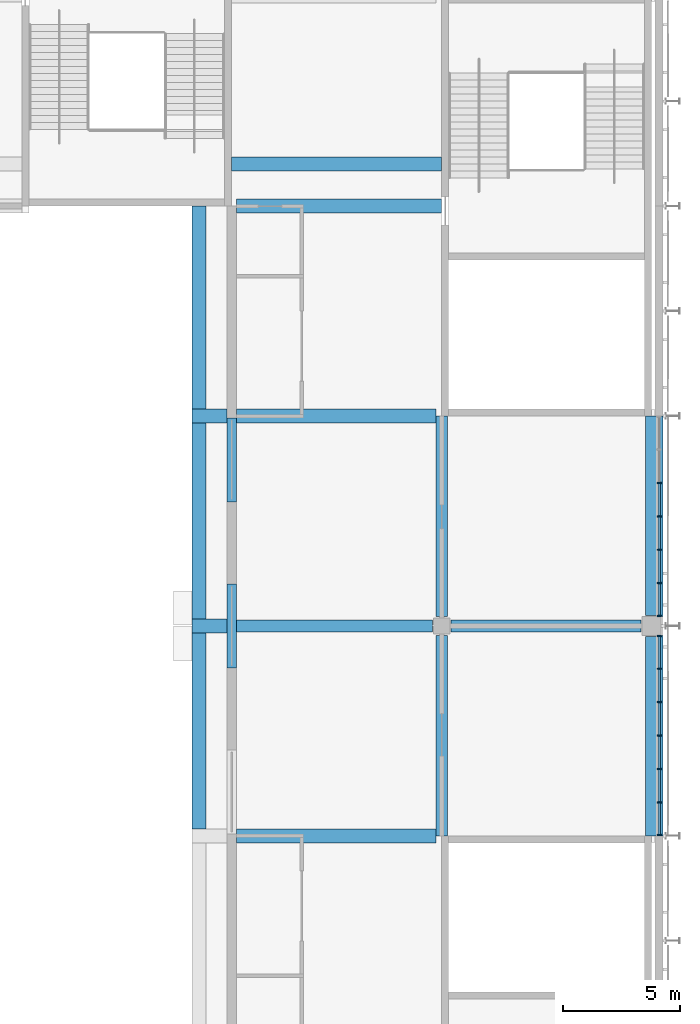
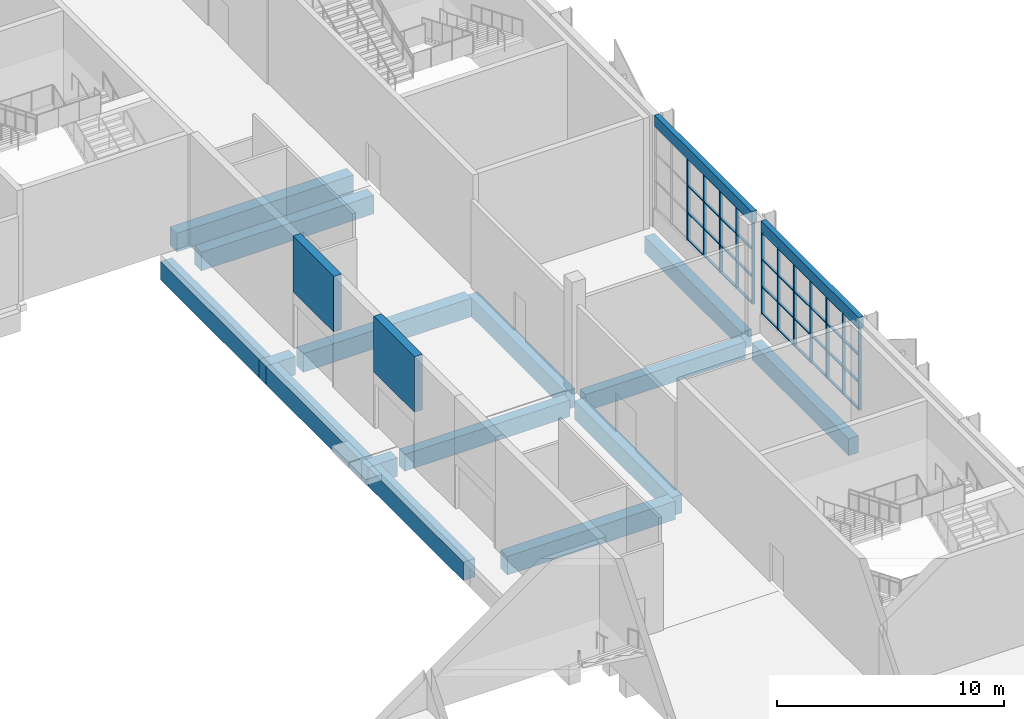
# One storey, part 21 of 89: 51 members, 19 beams, 2 elements without a shape of their own.
"""IFC4 building model written with IfcOpenShell, lengths in metres."""

from ifc_helpers import new_model, si_unit, direction, frame, origin, origin_2d, place, context, subcontext, project, spatial, rectangle, extrude, material, material_profile, profile_set, type_object, element, aggregate, save


model = new_model("IFC4")

# Units and contexts
model_context = context("Model", 3, precision=1e-05, world=origin(), true_north=direction((0.0, 1.0)))
body_context = subcontext(model_context, "Body", "Model", "MODEL_VIEW")
ifc_project = project(units=[si_unit("LENGTHUNIT", "METRE"), si_unit("AREAUNIT", "SQUARE_METRE"), si_unit("VOLUMEUNIT", "CUBIC_METRE"), si_unit("PLANEANGLEUNIT", "RADIAN"), si_unit("MASSUNIT", "GRAM", prefix="KILO")], contexts=[model_context])

# Site, building, storey
site_placement = place(None, origin())
site = spatial("IfcSite", under=ifc_project, at=site_placement, CompositionType="ELEMENT")
building_placement = place(site_placement, origin())
building = spatial("IfcBuilding", under=site, at=building_placement, Name="Silverbay Arena", CompositionType="ELEMENT")
storey_placement = place(building_placement, frame((0.0, 0.0, 22.0)))
storey = spatial("IfcBuildingStorey", under=building, at=storey_placement, Name="L03", CompositionType="ELEMENT", Elevation=22.0)

# Curtain wall, members
ifc_material_1 = material(Name="Aluminium framed curtain wall", Category="aluminium")
curtain_wall_type = type_object("IfcCurtainWallType", Name="Curtain wall 8600 x 4400", PredefinedType="NOTDEFINED", material=ifc_material_1)
curtain_wall_1_placement = place(storey_placement, origin())
curtain_wall_1 = element("IfcCurtainWall", 1, at=curtain_wall_1_placement, inside=storey, type_object=curtain_wall_type, Name="East curtain wall L03 bay 7", PredefinedType="NOTDEFINED")
ifc_material_2 = material(Name="Aluminium", Category="aluminium")
ifc_material_profile_1 = material_profile(ifc_material_2, rectangle(XDim=0.159912109375, YDim=0.06005859375, at=origin_2d()), Name="Mullion 60 x 160")
ifc_profile_set_1 = profile_set([ifc_material_profile_1], Name="Aluminium")
member_type_1 = type_object("IfcMemberType", Name="Mullion 60 x 160", PredefinedType="MULLION", material=ifc_profile_set_1)
member_1_placement = place(storey_placement, frame((207.330078125, 72.030029296875, 1.0), z_axis=(0.0, 0.0, 1.0), x_axis=(-1.0, 0.0, 0.0)))
member_1 = element("IfcMember", 2, at=member_1_placement, type_object=member_type_1, Name="CW12 mullion 1", PredefinedType="MULLION", context=body_context, shape_type="SweptSolid", body=[
    extrude(rectangle(XDim=0.159912109375, YDim=0.06005859375, at=origin_2d()), origin(), (0.0, 0.0, 1.0), 4.39990234375),
])
member_2_placement = place(storey_placement, frame((207.330078125, 73.433349609375, 1.0), z_axis=(0.0, 0.0, 1.0), x_axis=(-1.0, 0.0, 0.0)))
member_2 = element("IfcMember", 3, at=member_2_placement, type_object=member_type_1, Name="CW12 mullion 2", PredefinedType="MULLION", context=body_context, shape_type="SweptSolid", body=[
    extrude(rectangle(XDim=0.159912109375, YDim=0.06005859375, at=origin_2d()), origin(), (0.0, 0.0, 1.0), 4.39990234375),
])
member_3_placement = place(storey_placement, frame((207.330078125, 74.86669921875, 1.0), z_axis=(0.0, 0.0, 1.0), x_axis=(-1.0, 0.0, 0.0)))
member_3 = element("IfcMember", 4, at=member_3_placement, type_object=member_type_1, Name="CW12 mullion 3", PredefinedType="MULLION", context=body_context, shape_type="SweptSolid", body=[
    extrude(rectangle(XDim=0.159912109375, YDim=0.06005859375, at=origin_2d()), origin(), (0.0, 0.0, 1.0), 4.39990234375),
])
member_4_placement = place(storey_placement, frame((207.330078125, 76.300048828125, 1.0), z_axis=(0.0, 0.0, 1.0), x_axis=(-1.0, 0.0, 0.0)))
member_4 = element("IfcMember", 5, at=member_4_placement, type_object=member_type_1, Name="CW12 mullion 4", PredefinedType="MULLION", context=body_context, shape_type="SweptSolid", body=[
    extrude(rectangle(XDim=0.159912109375, YDim=0.06005859375, at=origin_2d()), origin(), (0.0, 0.0, 1.0), 4.39990234375),
])
member_5_placement = place(storey_placement, frame((207.330078125, 77.7333984375, 1.0), z_axis=(0.0, 0.0, 1.0), x_axis=(-1.0, 0.0, 0.0)))
member_5 = element("IfcMember", 6, at=member_5_placement, type_object=member_type_1, Name="CW12 mullion 5", PredefinedType="MULLION", context=body_context, shape_type="SweptSolid", body=[
    extrude(rectangle(XDim=0.159912109375, YDim=0.06005859375, at=origin_2d()), origin(), (0.0, 0.0, 1.0), 4.39990234375),
])
member_6_placement = place(storey_placement, frame((207.330078125, 79.166748046875, 1.0), z_axis=(0.0, 0.0, 1.0), x_axis=(-1.0, 0.0, 0.0)))
member_6 = element("IfcMember", 7, at=member_6_placement, type_object=member_type_1, Name="CW12 mullion 6", PredefinedType="MULLION", context=body_context, shape_type="SweptSolid", body=[
    extrude(rectangle(XDim=0.159912109375, YDim=0.06005859375, at=origin_2d()), origin(), (0.0, 0.0, 1.0), 4.39990234375),
])
member_7_placement = place(storey_placement, frame((207.330078125, 80.570068359375, 1.0), z_axis=(0.0, 0.0, 1.0), x_axis=(-1.0, 0.0, 0.0)))
member_7 = element("IfcMember", 8, at=member_7_placement, type_object=member_type_1, Name="CW12 mullion 7", PredefinedType="MULLION", context=body_context, shape_type="SweptSolid", body=[
    extrude(rectangle(XDim=0.159912109375, YDim=0.06005859375, at=origin_2d()), origin(), (0.0, 0.0, 1.0), 4.39990234375),
])

curtain_wall_2_placement = place(storey_placement, origin())
curtain_wall_2 = element("IfcCurtainWall", 9, at=curtain_wall_2_placement, inside=storey, type_object=curtain_wall_type, Name="East curtain wall L03 bay 8", PredefinedType="NOTDEFINED")
member_8_placement = place(storey_placement, frame((207.330078125, 81.429931640625, 1.0), z_axis=(0.0, 0.0, 1.0), x_axis=(-1.0, 0.0, 0.0)))
member_8 = element("IfcMember", 10, at=member_8_placement, type_object=member_type_1, Name="CW12 mullion 1", PredefinedType="MULLION", context=body_context, shape_type="SweptSolid", body=[
    extrude(rectangle(XDim=0.159912109375, YDim=0.06005859375, at=origin_2d()), origin(), (0.0, 0.0, 1.0), 4.39990234375),
])
member_9_placement = place(storey_placement, frame((207.330078125, 82.833251953125, 1.0), z_axis=(0.0, 0.0, 1.0), x_axis=(-1.0, 0.0, 0.0)))
member_9 = element("IfcMember", 11, at=member_9_placement, type_object=member_type_1, Name="CW12 mullion 2", PredefinedType="MULLION", context=body_context, shape_type="SweptSolid", body=[
    extrude(rectangle(XDim=0.159912109375, YDim=0.06005859375, at=origin_2d()), origin(), (0.0, 0.0, 1.0), 4.39990234375),
])
member_10_placement = place(storey_placement, frame((207.330078125, 84.2666015625, 1.0), z_axis=(0.0, 0.0, 1.0), x_axis=(-1.0, 0.0, 0.0)))
member_10 = element("IfcMember", 12, at=member_10_placement, type_object=member_type_1, Name="CW12 mullion 3", PredefinedType="MULLION", context=body_context, shape_type="SweptSolid", body=[
    extrude(rectangle(XDim=0.159912109375, YDim=0.06005859375, at=origin_2d()), origin(), (0.0, 0.0, 1.0), 4.39990234375),
])
member_11_placement = place(storey_placement, frame((207.330078125, 85.699951171875, 1.0), z_axis=(0.0, 0.0, 1.0), x_axis=(-1.0, 0.0, 0.0)))
member_11 = element("IfcMember", 13, at=member_11_placement, type_object=member_type_1, Name="CW12 mullion 4", PredefinedType="MULLION", context=body_context, shape_type="SweptSolid", body=[
    extrude(rectangle(XDim=0.159912109375, YDim=0.06005859375, at=origin_2d()), origin(), (0.0, 0.0, 1.0), 4.39990234375),
])
member_12_placement = place(storey_placement, frame((207.330078125, 87.13330078125, 1.0), z_axis=(0.0, 0.0, 1.0), x_axis=(-1.0, 0.0, 0.0)))
member_12 = element("IfcMember", 14, at=member_12_placement, type_object=member_type_1, Name="CW12 mullion 5", PredefinedType="MULLION", context=body_context, shape_type="SweptSolid", body=[
    extrude(rectangle(XDim=0.159912109375, YDim=0.06005859375, at=origin_2d()), origin(), (0.0, 0.0, 1.0), 4.39990234375),
])

# Beams
ifc_material_3 = material(Name="Concrete Grade C45", Category="concrete")
ifc_material_profile_2 = material_profile(ifc_material_3, rectangle(XDim=0.5, YDim=1.0, at=origin_2d()), Name="RC 500x1000")
ifc_profile_set_2 = profile_set([ifc_material_profile_2], Name="Concrete Grade C45")
beam_type_1 = type_object("IfcBeamType", Name="RC beam 500x1000", PredefinedType="BEAM", material=ifc_profile_set_2)
for number, where, z_axis, x_axis, name in (
    (15, (198.0, 72.0, -0.85009765625), (0.0, 1.0, 0.0), (-1.0, 0.0, 0.0), "Floor beam L03 166"),
    (16, (198.0, 81.39990234375, -0.85009765625), (0.0, 1.0, 0.0), (-1.0, 0.0, 0.0), "Floor beam L03 167"),
):
    element("IfcBeam", number, at=place(storey_placement, frame(where, z_axis=z_axis, x_axis=x_axis)), inside=storey, type_object=beam_type_1, Name=name, PredefinedType="BEAM", context=body_context, shape_type="SweptSolid", body=[
        extrude(rectangle(XDim=0.5, YDim=1.0, at=origin_2d()), origin(), (0.0, 0.0, 1.0), 8.60009765625),
    ])
ifc_material_4 = material(Name="Concrete Grade C45", Category="concrete")
ifc_material_profile_3 = material_profile(ifc_material_4, rectangle(XDim=0.5, YDim=0.89990234375, at=origin_2d()), Name="RC 500x900")
ifc_profile_set_3 = profile_set([ifc_material_profile_3], Name="Concrete Grade C45")
beam_type_2 = type_object("IfcBeamType", Name="RC beam 500x900", PredefinedType="BEAM", material=ifc_profile_set_3)
beam_1_placement = place(storey_placement, frame((189.199951171875, 81.0, -0.800048828125), z_axis=(1.0, 0.0, 0.0), x_axis=(0.0, 1.0, 0.0)))
element("IfcBeam", 17, at=beam_1_placement, inside=storey, type_object=beam_type_2, Name="Floor beam L03 043", PredefinedType="BEAM", context=body_context, shape_type="SweptSolid", body=[
    extrude(rectangle(XDim=0.5, YDim=0.89990234375, at=origin_2d()), origin(), (0.0, 0.0, 1.0), 8.400146484375),
])
beam_2_placement = place(storey_placement, frame((198.39990234375, 81.0, -0.800048828125), z_axis=(1.0, 0.0, 0.0), x_axis=(0.0, 1.0, 0.0)))
element("IfcBeam", 18, at=beam_2_placement, inside=storey, type_object=beam_type_2, Name="Floor beam L03 044", PredefinedType="BEAM", context=body_context, shape_type="SweptSolid", body=[
    extrude(rectangle(XDim=0.5, YDim=0.89990234375, at=origin_2d()), origin(), (0.0, 0.0, 1.0), 8.150146484375),
])
for number, where, z_axis, x_axis, name in (
    (19, (207.0, 72.0, -0.800048828125), (0.0, 1.0, 0.0), (-1.0, 0.0, 0.0), "Floor beam L03 174"),
    (20, (207.0, 81.449951171875, -0.800048828125), (0.0, 1.0, 0.0), (-1.0, 0.0, 0.0), "Floor beam L03 175"),
):
    element("IfcBeam", number, at=place(storey_placement, frame(where, z_axis=z_axis, x_axis=x_axis)), inside=storey, type_object=beam_type_2, Name=name, PredefinedType="BEAM", context=body_context, shape_type="SweptSolid", body=[
        extrude(rectangle(XDim=0.5, YDim=0.89990234375, at=origin_2d()), origin(), (0.0, 0.0, 1.0), 8.550048828125),
    ])
ifc_material_5 = material(Name="Concrete Grade C45", Category="concrete")
ifc_material_profile_4 = material_profile(ifc_material_5, rectangle(XDim=0.60009765625, YDim=1.0, at=origin_2d()), Name="RC 600x1000")
ifc_profile_set_4 = profile_set([ifc_material_profile_4], Name="Concrete Grade C45")
beam_type_3 = type_object("IfcBeamType", Name="RC beam 600x1000", PredefinedType="BEAM", material=ifc_profile_set_4)
beam_3_placement = place(storey_placement, frame((189.199951171875, 72.0, -0.85009765625), z_axis=(1.0, 0.0, 0.0), x_axis=(0.0, 1.0, 0.0)))
element("IfcBeam", 21, at=beam_3_placement, inside=storey, type_object=beam_type_3, Name="Floor beam L03 038", PredefinedType="BEAM", context=body_context, shape_type="SweptSolid", body=[
    extrude(rectangle(XDim=0.60009765625, YDim=1.0, at=origin_2d()), origin(), (0.0, 0.0, 1.0), 8.550048828125),
])
for number, where, z_axis, x_axis, name in (
    (22, (187.300048828125, 81.0, -0.85009765625), (1.0, 0.0, 0.0), (0.0, 1.0, 0.0), "Floor beam L03 042"),
    (23, (187.300048828125, 90.0, -0.85009765625), (1.0, 0.0, 0.0), (0.0, 1.0, 0.0), "Floor beam L03 047"),
):
    element("IfcBeam", number, at=place(storey_placement, frame(where, z_axis=z_axis, x_axis=x_axis)), inside=storey, type_object=beam_type_3, Name=name, PredefinedType="BEAM", context=body_context, shape_type="SweptSolid", body=[
        extrude(rectangle(XDim=0.60009765625, YDim=1.0, at=origin_2d()), origin(), (0.0, 0.0, 1.0), 1.5),
    ])
beam_4_placement = place(storey_placement, frame((189.199951171875, 90.0, -0.85009765625), z_axis=(1.0, 0.0, 0.0), x_axis=(0.0, 1.0, 0.0)))
element("IfcBeam", 24, at=beam_4_placement, inside=storey, type_object=beam_type_3, Name="Floor beam L03 048", PredefinedType="BEAM", context=body_context, shape_type="SweptSolid", body=[
    extrude(rectangle(XDim=0.60009765625, YDim=1.0, at=origin_2d()), origin(), (0.0, 0.0, 1.0), 8.550048828125),
])
beam_5_placement = place(storey_placement, frame((189.199951171875, 99.0, -0.85009765625), z_axis=(1.0, 0.0, 0.0), x_axis=(0.0, 1.0, 0.0)))
element("IfcBeam", 25, at=beam_5_placement, inside=storey, type_object=beam_type_3, Name="Floor beam L03 052", PredefinedType="BEAM", context=body_context, shape_type="SweptSolid", body=[
    extrude(rectangle(XDim=0.60009765625, YDim=1.0, at=origin_2d()), origin(), (0.0, 0.0, 1.0), 8.800048828125),
])
beam_6_placement = place(storey_placement, frame((189.0, 100.800048828125, -0.85009765625), z_axis=(1.0, 0.0, 0.0), x_axis=(0.0, 1.0, 0.0)))
element("IfcBeam", 26, at=beam_6_placement, inside=storey, type_object=beam_type_3, Name="Floor beam L03 056", PredefinedType="BEAM", context=body_context, shape_type="SweptSolid", body=[
    extrude(rectangle(XDim=0.60009765625, YDim=1.0, at=origin_2d()), origin(), (0.0, 0.0, 1.0), 9.0),
])
for number, where, z_axis, x_axis, name in (
    (27, (187.60009765625, 72.300048828125, -0.85009765625), (0.0, 1.0, 0.0), (-1.0, 0.0, 0.0), "Floor beam L03 198"),
    (28, (187.60009765625, 81.300048828125, -0.85009765625), (0.0, 1.0, 0.0), (-1.0, 0.0, 0.0), "Floor beam L03 199"),
):
    element("IfcBeam", number, at=place(storey_placement, frame(where, z_axis=z_axis, x_axis=x_axis)), inside=storey, type_object=beam_type_3, Name=name, PredefinedType="BEAM", context=body_context, shape_type="SweptSolid", body=[
        extrude(rectangle(XDim=0.60009765625, YDim=1.0, at=origin_2d()), origin(), (0.0, 0.0, 1.0), 8.39990234375),
    ])
beam_7_placement = place(storey_placement, frame((187.60009765625, 90.300048828125, -0.85009765625), z_axis=(0.0, 1.0, 0.0), x_axis=(-1.0, 0.0, 0.0)))
element("IfcBeam", 29, at=beam_7_placement, inside=storey, type_object=beam_type_3, Name="Floor beam L03 200", PredefinedType="BEAM", context=body_context, shape_type="SweptSolid", body=[
    extrude(rectangle(XDim=0.60009765625, YDim=1.0, at=origin_2d()), origin(), (0.0, 0.0, 1.0), 8.699951171875),
])
ifc_material_6 = material(Name="Concrete Grade C45", Category="concrete")
ifc_material_profile_5 = material_profile(ifc_material_6, rectangle(XDim=0.25, YDim=0.60009765625, at=origin_2d()), Name="RC 250x600")
ifc_profile_set_5 = profile_set([ifc_material_profile_5], Name="Concrete Grade C45")
beam_type_4 = type_object("IfcBeamType", Name="RC facade beam 250x600", PredefinedType="SPANDREL", material=ifc_profile_set_5)
for number, where, z_axis, x_axis, name in (
    (30, (207.375, 72.0, 5.699951171875), (0.0, 1.0, 0.0), (-1.0, 0.0, 0.0), "Facade beam L03 east"),
    (31, (207.375, 81.39990234375, 5.699951171875), (0.0, 1.0, 0.0), (-1.0, 0.0, 0.0), "Facade beam L03 east"),
):
    element("IfcBeam", number, at=place(storey_placement, frame(where, z_axis=z_axis, x_axis=x_axis)), inside=storey, type_object=beam_type_4, Name=name, PredefinedType="SPANDREL", context=body_context, shape_type="SweptSolid", body=[
        extrude(rectangle(XDim=0.25, YDim=0.60009765625, at=origin_2d()), origin(), (0.0, 0.0, 1.0), 8.60009765625),
    ])
ifc_material_7 = material(Name="Concrete Grade C45", Category="concrete")
ifc_material_profile_6 = material_profile(ifc_material_7, rectangle(XDim=0.39990234375, YDim=3.0, at=origin_2d()), Name="RC 400x3000")
ifc_profile_set_6 = profile_set([ifc_material_profile_6], Name="Concrete Grade C45")
beam_type_5 = type_object("IfcBeamType", Name="RC lintel 400x3000", PredefinedType="BEAM", material=ifc_profile_set_6)
for number, where, z_axis, x_axis, name in (
    (32, (189.0, 79.199951171875, 4.5), (0.0, 1.0, 0.0), (-1.0, 0.0, 0.0), "Lintel over portal L03-E81"),
    (33, (189.0, 86.324951171875, 4.5), (0.0, 1.0, 0.0), (-1.0, 0.0, 0.0), "Lintel over portal L03-E881"),
):
    element("IfcBeam", number, at=place(storey_placement, frame(where, z_axis=z_axis, x_axis=x_axis)), inside=storey, type_object=beam_type_5, Name=name, PredefinedType="BEAM", context=body_context, shape_type="SweptSolid", body=[
        extrude(rectangle(XDim=0.39990234375, YDim=3.0, at=origin_2d()), origin(), (0.0, 0.0, 1.0), 3.60009765625),
    ])

# Member
ifc_material_8 = material(Name="Aluminium", Category="aluminium")
ifc_material_profile_7 = material_profile(ifc_material_8, rectangle(XDim=0.1201171875, YDim=0.050048828125, at=origin_2d()), Name="Transom 50 x 120")
ifc_profile_set_7 = profile_set([ifc_material_profile_7], Name="Aluminium")
member_type_2 = type_object("IfcMemberType", Name="Transom 50 x 120", PredefinedType="USERDEFINED", material=ifc_profile_set_7)
member_13_placement = place(storey_placement, frame((207.330078125, 72.06005859375, 1.02490234375), z_axis=(0.0, 1.0, 0.0), x_axis=(-1.0, 0.0, 0.0)))
member_13 = element("IfcMember", 34, at=member_13_placement, type_object=member_type_2, Name="CW12 transom 1.1", ObjectType="TRANSOM", PredefinedType="USERDEFINED", context=body_context, shape_type="SweptSolid", body=[
    extrude(rectangle(XDim=0.1201171875, YDim=0.050048828125, at=origin_2d()), origin(), (0.0, 0.0, 1.0), 1.34326171875),
])

member_14_placement = place(storey_placement, frame((207.330078125, 72.06005859375, 2.466552734375), z_axis=(0.0, 1.0, 0.0), x_axis=(-1.0, 0.0, 0.0)))
member_14 = element("IfcMember", 35, at=member_14_placement, type_object=member_type_2, Name="CW12 transom 1.2", ObjectType="TRANSOM", PredefinedType="USERDEFINED", context=body_context, shape_type="SweptSolid", body=[
    extrude(rectangle(XDim=0.1201171875, YDim=0.050048828125, at=origin_2d()), origin(), (0.0, 0.0, 1.0), 1.34326171875),
])

member_15_placement = place(storey_placement, frame((207.330078125, 72.06005859375, 3.933349609375), z_axis=(0.0, 1.0, 0.0), x_axis=(-1.0, 0.0, 0.0)))
member_15 = element("IfcMember", 36, at=member_15_placement, type_object=member_type_2, Name="CW12 transom 1.3", ObjectType="TRANSOM", PredefinedType="USERDEFINED", context=body_context, shape_type="SweptSolid", body=[
    extrude(rectangle(XDim=0.1201171875, YDim=0.050048828125, at=origin_2d()), origin(), (0.0, 0.0, 1.0), 1.34326171875),
])

member_16_placement = place(storey_placement, frame((207.330078125, 72.06005859375, 5.375), z_axis=(0.0, 1.0, 0.0), x_axis=(-1.0, 0.0, 0.0)))
member_16 = element("IfcMember", 37, at=member_16_placement, type_object=member_type_2, Name="CW12 transom 1.4", ObjectType="TRANSOM", PredefinedType="USERDEFINED", context=body_context, shape_type="SweptSolid", body=[
    extrude(rectangle(XDim=0.1201171875, YDim=0.050048828125, at=origin_2d()), origin(), (0.0, 0.0, 1.0), 1.34326171875),
])

member_17_placement = place(storey_placement, frame((207.330078125, 73.46337890625, 1.02490234375), z_axis=(0.0, 1.0, 0.0), x_axis=(-1.0, 0.0, 0.0)))
member_17 = element("IfcMember", 38, at=member_17_placement, type_object=member_type_2, Name="CW12 transom 2.1", ObjectType="TRANSOM", PredefinedType="USERDEFINED", context=body_context, shape_type="SweptSolid", body=[
    extrude(rectangle(XDim=0.1201171875, YDim=0.050048828125, at=origin_2d()), origin(), (0.0, 0.0, 1.0), 1.373291015625),
])

member_18_placement = place(storey_placement, frame((207.330078125, 73.46337890625, 2.466552734375), z_axis=(0.0, 1.0, 0.0), x_axis=(-1.0, 0.0, 0.0)))
member_18 = element("IfcMember", 39, at=member_18_placement, type_object=member_type_2, Name="CW12 transom 2.2", ObjectType="TRANSOM", PredefinedType="USERDEFINED", context=body_context, shape_type="SweptSolid", body=[
    extrude(rectangle(XDim=0.1201171875, YDim=0.050048828125, at=origin_2d()), origin(), (0.0, 0.0, 1.0), 1.373291015625),
])

member_19_placement = place(storey_placement, frame((207.330078125, 73.46337890625, 3.933349609375), z_axis=(0.0, 1.0, 0.0), x_axis=(-1.0, 0.0, 0.0)))
member_19 = element("IfcMember", 40, at=member_19_placement, type_object=member_type_2, Name="CW12 transom 2.3", ObjectType="TRANSOM", PredefinedType="USERDEFINED", context=body_context, shape_type="SweptSolid", body=[
    extrude(rectangle(XDim=0.1201171875, YDim=0.050048828125, at=origin_2d()), origin(), (0.0, 0.0, 1.0), 1.373291015625),
])

member_20_placement = place(storey_placement, frame((207.330078125, 73.46337890625, 5.375), z_axis=(0.0, 1.0, 0.0), x_axis=(-1.0, 0.0, 0.0)))
member_20 = element("IfcMember", 41, at=member_20_placement, type_object=member_type_2, Name="CW12 transom 2.4", ObjectType="TRANSOM", PredefinedType="USERDEFINED", context=body_context, shape_type="SweptSolid", body=[
    extrude(rectangle(XDim=0.1201171875, YDim=0.050048828125, at=origin_2d()), origin(), (0.0, 0.0, 1.0), 1.373291015625),
])

member_21_placement = place(storey_placement, frame((207.330078125, 74.896728515625, 1.02490234375), z_axis=(0.0, 1.0, 0.0), x_axis=(-1.0, 0.0, 0.0)))
member_21 = element("IfcMember", 42, at=member_21_placement, type_object=member_type_2, Name="CW12 transom 3.1", ObjectType="TRANSOM", PredefinedType="USERDEFINED", context=body_context, shape_type="SweptSolid", body=[
    extrude(rectangle(XDim=0.1201171875, YDim=0.050048828125, at=origin_2d()), origin(), (0.0, 0.0, 1.0), 1.373291015625),
])

member_22_placement = place(storey_placement, frame((207.330078125, 74.896728515625, 2.466552734375), z_axis=(0.0, 1.0, 0.0), x_axis=(-1.0, 0.0, 0.0)))
member_22 = element("IfcMember", 43, at=member_22_placement, type_object=member_type_2, Name="CW12 transom 3.2", ObjectType="TRANSOM", PredefinedType="USERDEFINED", context=body_context, shape_type="SweptSolid", body=[
    extrude(rectangle(XDim=0.1201171875, YDim=0.050048828125, at=origin_2d()), origin(), (0.0, 0.0, 1.0), 1.373291015625),
])

member_23_placement = place(storey_placement, frame((207.330078125, 74.896728515625, 3.933349609375), z_axis=(0.0, 1.0, 0.0), x_axis=(-1.0, 0.0, 0.0)))
member_23 = element("IfcMember", 44, at=member_23_placement, type_object=member_type_2, Name="CW12 transom 3.3", ObjectType="TRANSOM", PredefinedType="USERDEFINED", context=body_context, shape_type="SweptSolid", body=[
    extrude(rectangle(XDim=0.1201171875, YDim=0.050048828125, at=origin_2d()), origin(), (0.0, 0.0, 1.0), 1.373291015625),
])

member_24_placement = place(storey_placement, frame((207.330078125, 74.896728515625, 5.375), z_axis=(0.0, 1.0, 0.0), x_axis=(-1.0, 0.0, 0.0)))
member_24 = element("IfcMember", 45, at=member_24_placement, type_object=member_type_2, Name="CW12 transom 3.4", ObjectType="TRANSOM", PredefinedType="USERDEFINED", context=body_context, shape_type="SweptSolid", body=[
    extrude(rectangle(XDim=0.1201171875, YDim=0.050048828125, at=origin_2d()), origin(), (0.0, 0.0, 1.0), 1.373291015625),
])

member_25_placement = place(storey_placement, frame((207.330078125, 76.330078125, 1.02490234375), z_axis=(0.0, 1.0, 0.0), x_axis=(-1.0, 0.0, 0.0)))
member_25 = element("IfcMember", 46, at=member_25_placement, type_object=member_type_2, Name="CW12 transom 4.1", ObjectType="TRANSOM", PredefinedType="USERDEFINED", context=body_context, shape_type="SweptSolid", body=[
    extrude(rectangle(XDim=0.1201171875, YDim=0.050048828125, at=origin_2d()), origin(), (0.0, 0.0, 1.0), 1.373291015625),
])

member_26_placement = place(storey_placement, frame((207.330078125, 76.330078125, 2.466552734375), z_axis=(0.0, 1.0, 0.0), x_axis=(-1.0, 0.0, 0.0)))
member_26 = element("IfcMember", 47, at=member_26_placement, type_object=member_type_2, Name="CW12 transom 4.2", ObjectType="TRANSOM", PredefinedType="USERDEFINED", context=body_context, shape_type="SweptSolid", body=[
    extrude(rectangle(XDim=0.1201171875, YDim=0.050048828125, at=origin_2d()), origin(), (0.0, 0.0, 1.0), 1.373291015625),
])

member_27_placement = place(storey_placement, frame((207.330078125, 76.330078125, 3.933349609375), z_axis=(0.0, 1.0, 0.0), x_axis=(-1.0, 0.0, 0.0)))
member_27 = element("IfcMember", 48, at=member_27_placement, type_object=member_type_2, Name="CW12 transom 4.3", ObjectType="TRANSOM", PredefinedType="USERDEFINED", context=body_context, shape_type="SweptSolid", body=[
    extrude(rectangle(XDim=0.1201171875, YDim=0.050048828125, at=origin_2d()), origin(), (0.0, 0.0, 1.0), 1.373291015625),
])

member_28_placement = place(storey_placement, frame((207.330078125, 76.330078125, 5.375), z_axis=(0.0, 1.0, 0.0), x_axis=(-1.0, 0.0, 0.0)))
member_28 = element("IfcMember", 49, at=member_28_placement, type_object=member_type_2, Name="CW12 transom 4.4", ObjectType="TRANSOM", PredefinedType="USERDEFINED", context=body_context, shape_type="SweptSolid", body=[
    extrude(rectangle(XDim=0.1201171875, YDim=0.050048828125, at=origin_2d()), origin(), (0.0, 0.0, 1.0), 1.373291015625),
])

member_29_placement = place(storey_placement, frame((207.330078125, 77.763427734375, 1.02490234375), z_axis=(0.0, 1.0, 0.0), x_axis=(-1.0, 0.0, 0.0)))
member_29 = element("IfcMember", 50, at=member_29_placement, type_object=member_type_2, Name="CW12 transom 5.1", ObjectType="TRANSOM", PredefinedType="USERDEFINED", context=body_context, shape_type="SweptSolid", body=[
    extrude(rectangle(XDim=0.1201171875, YDim=0.050048828125, at=origin_2d()), origin(), (0.0, 0.0, 1.0), 1.373291015625),
])

member_30_placement = place(storey_placement, frame((207.330078125, 77.763427734375, 2.466552734375), z_axis=(0.0, 1.0, 0.0), x_axis=(-1.0, 0.0, 0.0)))
member_30 = element("IfcMember", 51, at=member_30_placement, type_object=member_type_2, Name="CW12 transom 5.2", ObjectType="TRANSOM", PredefinedType="USERDEFINED", context=body_context, shape_type="SweptSolid", body=[
    extrude(rectangle(XDim=0.1201171875, YDim=0.050048828125, at=origin_2d()), origin(), (0.0, 0.0, 1.0), 1.373291015625),
])

member_31_placement = place(storey_placement, frame((207.330078125, 77.763427734375, 3.933349609375), z_axis=(0.0, 1.0, 0.0), x_axis=(-1.0, 0.0, 0.0)))
member_31 = element("IfcMember", 52, at=member_31_placement, type_object=member_type_2, Name="CW12 transom 5.3", ObjectType="TRANSOM", PredefinedType="USERDEFINED", context=body_context, shape_type="SweptSolid", body=[
    extrude(rectangle(XDim=0.1201171875, YDim=0.050048828125, at=origin_2d()), origin(), (0.0, 0.0, 1.0), 1.373291015625),
])

member_32_placement = place(storey_placement, frame((207.330078125, 77.763427734375, 5.375), z_axis=(0.0, 1.0, 0.0), x_axis=(-1.0, 0.0, 0.0)))
member_32 = element("IfcMember", 53, at=member_32_placement, type_object=member_type_2, Name="CW12 transom 5.4", ObjectType="TRANSOM", PredefinedType="USERDEFINED", context=body_context, shape_type="SweptSolid", body=[
    extrude(rectangle(XDim=0.1201171875, YDim=0.050048828125, at=origin_2d()), origin(), (0.0, 0.0, 1.0), 1.373291015625),
])

member_33_placement = place(storey_placement, frame((207.330078125, 79.19677734375, 1.02490234375), z_axis=(0.0, 1.0, 0.0), x_axis=(-1.0, 0.0, 0.0)))
member_33 = element("IfcMember", 54, at=member_33_placement, type_object=member_type_2, Name="CW12 transom 6.1", ObjectType="TRANSOM", PredefinedType="USERDEFINED", context=body_context, shape_type="SweptSolid", body=[
    extrude(rectangle(XDim=0.1201171875, YDim=0.050048828125, at=origin_2d()), origin(), (0.0, 0.0, 1.0), 1.34326171875),
])

member_34_placement = place(storey_placement, frame((207.330078125, 79.19677734375, 2.466552734375), z_axis=(0.0, 1.0, 0.0), x_axis=(-1.0, 0.0, 0.0)))
member_34 = element("IfcMember", 55, at=member_34_placement, type_object=member_type_2, Name="CW12 transom 6.2", ObjectType="TRANSOM", PredefinedType="USERDEFINED", context=body_context, shape_type="SweptSolid", body=[
    extrude(rectangle(XDim=0.1201171875, YDim=0.050048828125, at=origin_2d()), origin(), (0.0, 0.0, 1.0), 1.34326171875),
])

member_35_placement = place(storey_placement, frame((207.330078125, 79.19677734375, 3.933349609375), z_axis=(0.0, 1.0, 0.0), x_axis=(-1.0, 0.0, 0.0)))
member_35 = element("IfcMember", 56, at=member_35_placement, type_object=member_type_2, Name="CW12 transom 6.3", ObjectType="TRANSOM", PredefinedType="USERDEFINED", context=body_context, shape_type="SweptSolid", body=[
    extrude(rectangle(XDim=0.1201171875, YDim=0.050048828125, at=origin_2d()), origin(), (0.0, 0.0, 1.0), 1.34326171875),
])

member_36_placement = place(storey_placement, frame((207.330078125, 79.19677734375, 5.375), z_axis=(0.0, 1.0, 0.0), x_axis=(-1.0, 0.0, 0.0)))
member_36 = element("IfcMember", 57, at=member_36_placement, type_object=member_type_2, Name="CW12 transom 6.4", ObjectType="TRANSOM", PredefinedType="USERDEFINED", context=body_context, shape_type="SweptSolid", body=[
    extrude(rectangle(XDim=0.1201171875, YDim=0.050048828125, at=origin_2d()), origin(), (0.0, 0.0, 1.0), 1.34326171875),
])

aggregate(curtain_wall_1, [member_1, member_2, member_3, member_4, member_5, member_6, member_7, member_13, member_14, member_15, member_16, member_17, member_18, member_19, member_20, member_21, member_22, member_23, member_24, member_25, member_26, member_27, member_28, member_29, member_30, member_31, member_32, member_33, member_34, member_35, member_36])

member_37_placement = place(storey_placement, frame((207.330078125, 81.4599609375, 1.02490234375), z_axis=(0.0, 1.0, 0.0), x_axis=(-1.0, 0.0, 0.0)))
member_37 = element("IfcMember", 58, at=member_37_placement, type_object=member_type_2, Name="CW12 transom 1.1", ObjectType="TRANSOM", PredefinedType="USERDEFINED", context=body_context, shape_type="SweptSolid", body=[
    extrude(rectangle(XDim=0.1201171875, YDim=0.050048828125, at=origin_2d()), origin(), (0.0, 0.0, 1.0), 1.34326171875),
])

member_38_placement = place(storey_placement, frame((207.330078125, 81.4599609375, 2.466552734375), z_axis=(0.0, 1.0, 0.0), x_axis=(-1.0, 0.0, 0.0)))
member_38 = element("IfcMember", 59, at=member_38_placement, type_object=member_type_2, Name="CW12 transom 1.2", ObjectType="TRANSOM", PredefinedType="USERDEFINED", context=body_context, shape_type="SweptSolid", body=[
    extrude(rectangle(XDim=0.1201171875, YDim=0.050048828125, at=origin_2d()), origin(), (0.0, 0.0, 1.0), 1.34326171875),
])

member_39_placement = place(storey_placement, frame((207.330078125, 81.4599609375, 3.933349609375), z_axis=(0.0, 1.0, 0.0), x_axis=(-1.0, 0.0, 0.0)))
member_39 = element("IfcMember", 60, at=member_39_placement, type_object=member_type_2, Name="CW12 transom 1.3", ObjectType="TRANSOM", PredefinedType="USERDEFINED", context=body_context, shape_type="SweptSolid", body=[
    extrude(rectangle(XDim=0.1201171875, YDim=0.050048828125, at=origin_2d()), origin(), (0.0, 0.0, 1.0), 1.34326171875),
])

member_40_placement = place(storey_placement, frame((207.330078125, 81.4599609375, 5.375), z_axis=(0.0, 1.0, 0.0), x_axis=(-1.0, 0.0, 0.0)))
member_40 = element("IfcMember", 61, at=member_40_placement, type_object=member_type_2, Name="CW12 transom 1.4", ObjectType="TRANSOM", PredefinedType="USERDEFINED", context=body_context, shape_type="SweptSolid", body=[
    extrude(rectangle(XDim=0.1201171875, YDim=0.050048828125, at=origin_2d()), origin(), (0.0, 0.0, 1.0), 1.34326171875),
])

member_41_placement = place(storey_placement, frame((207.330078125, 82.86328125, 1.02490234375), z_axis=(0.0, 1.0, 0.0), x_axis=(-1.0, 0.0, 0.0)))
member_41 = element("IfcMember", 62, at=member_41_placement, type_object=member_type_2, Name="CW12 transom 2.1", ObjectType="TRANSOM", PredefinedType="USERDEFINED", context=body_context, shape_type="SweptSolid", body=[
    extrude(rectangle(XDim=0.1201171875, YDim=0.050048828125, at=origin_2d()), origin(), (0.0, 0.0, 1.0), 1.373291015625),
])

member_42_placement = place(storey_placement, frame((207.330078125, 82.86328125, 2.466552734375), z_axis=(0.0, 1.0, 0.0), x_axis=(-1.0, 0.0, 0.0)))
member_42 = element("IfcMember", 63, at=member_42_placement, type_object=member_type_2, Name="CW12 transom 2.2", ObjectType="TRANSOM", PredefinedType="USERDEFINED", context=body_context, shape_type="SweptSolid", body=[
    extrude(rectangle(XDim=0.1201171875, YDim=0.050048828125, at=origin_2d()), origin(), (0.0, 0.0, 1.0), 1.373291015625),
])

member_43_placement = place(storey_placement, frame((207.330078125, 82.86328125, 3.933349609375), z_axis=(0.0, 1.0, 0.0), x_axis=(-1.0, 0.0, 0.0)))
member_43 = element("IfcMember", 64, at=member_43_placement, type_object=member_type_2, Name="CW12 transom 2.3", ObjectType="TRANSOM", PredefinedType="USERDEFINED", context=body_context, shape_type="SweptSolid", body=[
    extrude(rectangle(XDim=0.1201171875, YDim=0.050048828125, at=origin_2d()), origin(), (0.0, 0.0, 1.0), 1.373291015625),
])

member_44_placement = place(storey_placement, frame((207.330078125, 82.86328125, 5.375), z_axis=(0.0, 1.0, 0.0), x_axis=(-1.0, 0.0, 0.0)))
member_44 = element("IfcMember", 65, at=member_44_placement, type_object=member_type_2, Name="CW12 transom 2.4", ObjectType="TRANSOM", PredefinedType="USERDEFINED", context=body_context, shape_type="SweptSolid", body=[
    extrude(rectangle(XDim=0.1201171875, YDim=0.050048828125, at=origin_2d()), origin(), (0.0, 0.0, 1.0), 1.373291015625),
])

member_45_placement = place(storey_placement, frame((207.330078125, 84.296630859375, 1.02490234375), z_axis=(0.0, 1.0, 0.0), x_axis=(-1.0, 0.0, 0.0)))
member_45 = element("IfcMember", 66, at=member_45_placement, type_object=member_type_2, Name="CW12 transom 3.1", ObjectType="TRANSOM", PredefinedType="USERDEFINED", context=body_context, shape_type="SweptSolid", body=[
    extrude(rectangle(XDim=0.1201171875, YDim=0.050048828125, at=origin_2d()), origin(), (0.0, 0.0, 1.0), 1.373291015625),
])

member_46_placement = place(storey_placement, frame((207.330078125, 84.296630859375, 2.466552734375), z_axis=(0.0, 1.0, 0.0), x_axis=(-1.0, 0.0, 0.0)))
member_46 = element("IfcMember", 67, at=member_46_placement, type_object=member_type_2, Name="CW12 transom 3.2", ObjectType="TRANSOM", PredefinedType="USERDEFINED", context=body_context, shape_type="SweptSolid", body=[
    extrude(rectangle(XDim=0.1201171875, YDim=0.050048828125, at=origin_2d()), origin(), (0.0, 0.0, 1.0), 1.373291015625),
])

member_47_placement = place(storey_placement, frame((207.330078125, 84.296630859375, 3.933349609375), z_axis=(0.0, 1.0, 0.0), x_axis=(-1.0, 0.0, 0.0)))
member_47 = element("IfcMember", 68, at=member_47_placement, type_object=member_type_2, Name="CW12 transom 3.3", ObjectType="TRANSOM", PredefinedType="USERDEFINED", context=body_context, shape_type="SweptSolid", body=[
    extrude(rectangle(XDim=0.1201171875, YDim=0.050048828125, at=origin_2d()), origin(), (0.0, 0.0, 1.0), 1.373291015625),
])

member_48_placement = place(storey_placement, frame((207.330078125, 84.296630859375, 5.375), z_axis=(0.0, 1.0, 0.0), x_axis=(-1.0, 0.0, 0.0)))
member_48 = element("IfcMember", 69, at=member_48_placement, type_object=member_type_2, Name="CW12 transom 3.4", ObjectType="TRANSOM", PredefinedType="USERDEFINED", context=body_context, shape_type="SweptSolid", body=[
    extrude(rectangle(XDim=0.1201171875, YDim=0.050048828125, at=origin_2d()), origin(), (0.0, 0.0, 1.0), 1.373291015625),
])

member_49_placement = place(storey_placement, frame((207.330078125, 85.72998046875, 1.02490234375), z_axis=(0.0, 1.0, 0.0), x_axis=(-1.0, 0.0, 0.0)))
member_49 = element("IfcMember", 70, at=member_49_placement, type_object=member_type_2, Name="CW12 transom 4.1", ObjectType="TRANSOM", PredefinedType="USERDEFINED", context=body_context, shape_type="SweptSolid", body=[
    extrude(rectangle(XDim=0.1201171875, YDim=0.050048828125, at=origin_2d()), origin(), (0.0, 0.0, 1.0), 1.373291015625),
])

member_50_placement = place(storey_placement, frame((207.330078125, 85.72998046875, 2.466552734375), z_axis=(0.0, 1.0, 0.0), x_axis=(-1.0, 0.0, 0.0)))
member_50 = element("IfcMember", 71, at=member_50_placement, type_object=member_type_2, Name="CW12 transom 4.2", ObjectType="TRANSOM", PredefinedType="USERDEFINED", context=body_context, shape_type="SweptSolid", body=[
    extrude(rectangle(XDim=0.1201171875, YDim=0.050048828125, at=origin_2d()), origin(), (0.0, 0.0, 1.0), 1.373291015625),
])

member_51_placement = place(storey_placement, frame((207.330078125, 85.72998046875, 3.933349609375), z_axis=(0.0, 1.0, 0.0), x_axis=(-1.0, 0.0, 0.0)))
member_51 = element("IfcMember", 72, at=member_51_placement, type_object=member_type_2, Name="CW12 transom 4.3", ObjectType="TRANSOM", PredefinedType="USERDEFINED", context=body_context, shape_type="SweptSolid", body=[
    extrude(rectangle(XDim=0.1201171875, YDim=0.050048828125, at=origin_2d()), origin(), (0.0, 0.0, 1.0), 1.373291015625),
])

aggregate(curtain_wall_2, [member_8, member_9, member_10, member_11, member_12, member_37, member_38, member_39, member_40, member_41, member_42, member_43, member_44, member_45, member_46, member_47, member_48, member_49, member_50, member_51])

save(model, "model.ifc")
